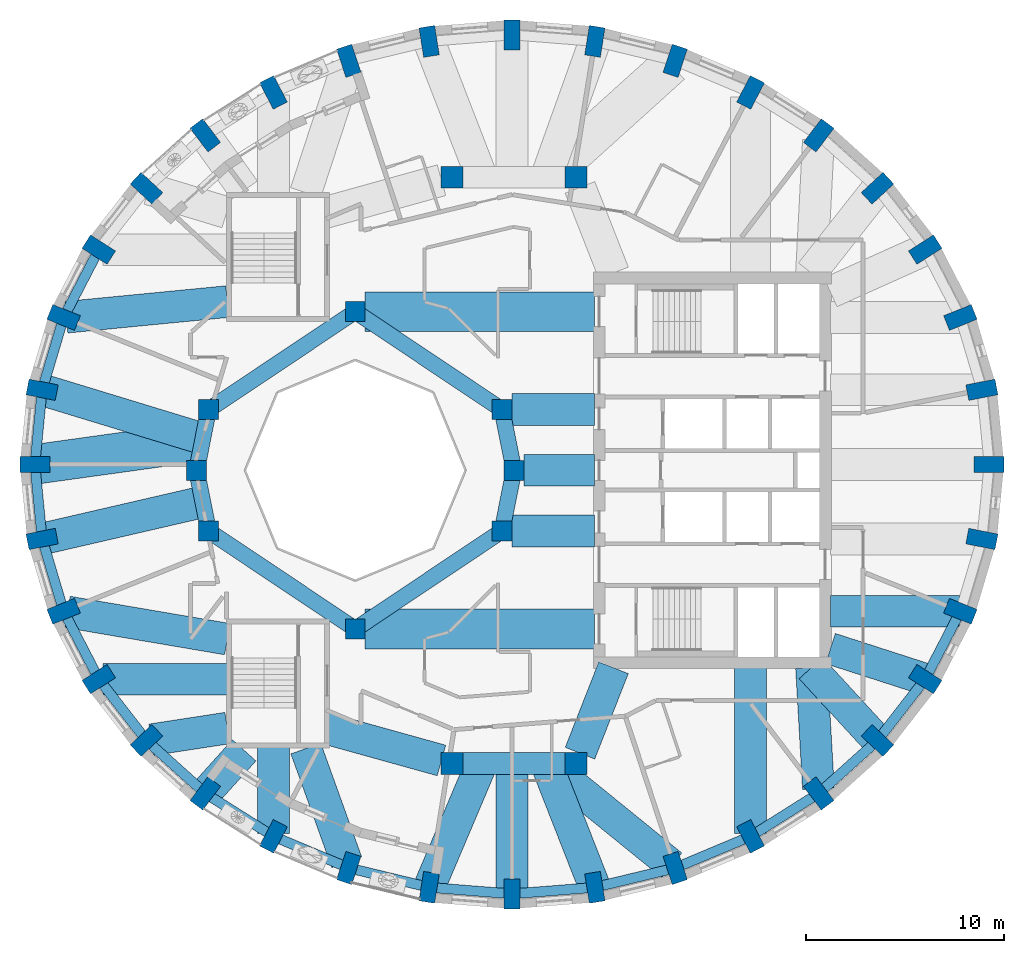
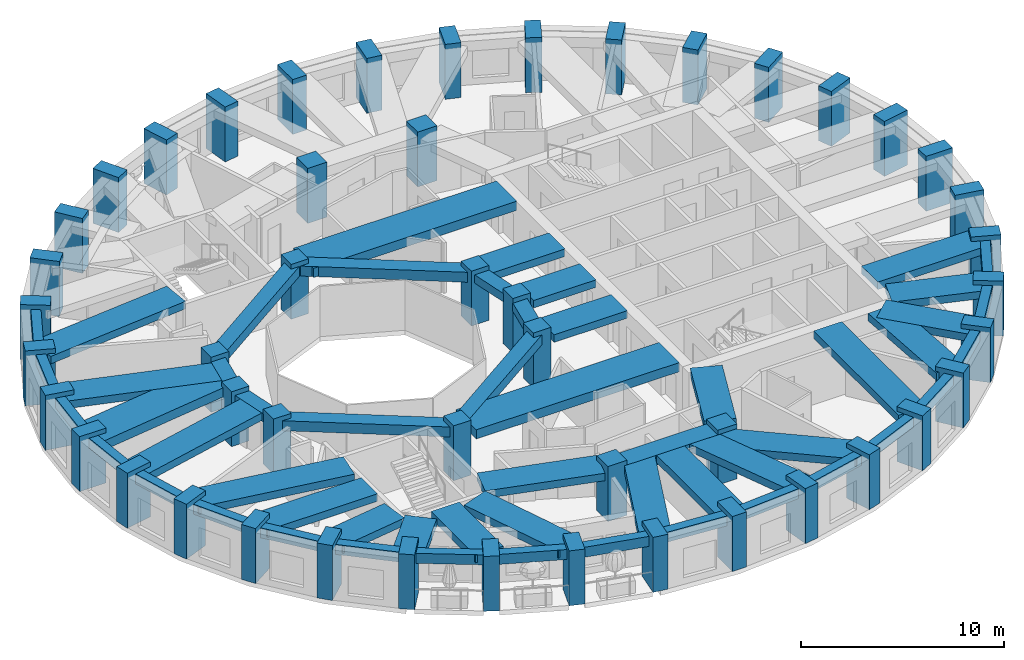
# One storey, part 1 of 12: 54 beams, 48 columns.
"""IFC4 building model written with IfcOpenShell, lengths in metres."""

from ifc_helpers import new_model, si_unit, direction, frame, origin, origin_2d, place, context, subcontext, project, spatial, rectangle, extrude, material, material_profile, profile_set, type_object, element, save


model = new_model("IFC4")

# Units and contexts
model_context = context("Model", 3, precision=1e-05, world=origin(), true_north=direction((0.0, 1.0)))
body_context = subcontext(model_context, "Body", "Model", "MODEL_VIEW")
ifc_project = project(units=[si_unit("LENGTHUNIT", "METRE"), si_unit("AREAUNIT", "SQUARE_METRE"), si_unit("VOLUMEUNIT", "CUBIC_METRE"), si_unit("PLANEANGLEUNIT", "RADIAN"), si_unit("MASSUNIT", "GRAM", prefix="KILO")], contexts=[model_context])

# Site, building, storey
site_placement = place(None, origin())
site = spatial("IfcSite", under=ifc_project, at=site_placement, CompositionType="ELEMENT")
building_placement = place(site_placement, origin())
building = spatial("IfcBuilding", under=site, at=building_placement, Name="Taillehof Tower", CompositionType="ELEMENT")
storey_placement = place(building_placement, frame((0.0, 0.0, 253.10009765625)))
storey = spatial("IfcBuildingStorey", under=building, at=storey_placement, Name="L72", CompositionType="ELEMENT", Elevation=253.10009765625)

# Columns
ifc_material_1 = material(Name="Concrete C50/60", Category="concrete")
ifc_material_profile_1 = material_profile(ifc_material_1, rectangle(XDim=1.0, YDim=1.0, at=origin_2d()), Name="RC 1000x1000")
ifc_profile_set_1 = profile_set([ifc_material_profile_1], Name="Concrete C50/60")
column_type_1 = type_object("IfcColumnType", Name="Atrium ring column C50/60 1000x1000", PredefinedType="COLUMN", material=ifc_profile_set_1)
for number, where, z_axis, x_axis, name in (
    (1, (0.0, 0.0, 0.0), (0.0, 0.0, 1.0), (1.0, 0.0, 0.0), "Column AC01"),
    (2, (-0.60888671875, 3.0615234375, 0.0), (0.0, 0.0, 1.0), (1.0, 0.0, 0.0), "Column AC02"),
    (3, (-8.0, 8.0, 0.0), (0.0, 0.0, 1.0), (1.0, 0.0, 0.0), "Column AC05"),
    (4, (-15.39111328125, 3.0615234375, 0.0), (0.0, 0.0, 1.0), (1.0, 0.0, 0.0), "Column AC08"),
    (5, (-16.0, 0.0, 0.0), (0.0, 0.0, 1.0), (1.0, 0.0, 0.0), "Column AC09"),
    (6, (-15.39111328125, -3.0615234375, 0.0), (0.0, 0.0, 1.0), (1.0, 0.0, 0.0), "Column AC10"),
    (7, (-8.0, -8.0, 0.0), (0.0, 0.0, 1.0), (1.0, 0.0, 0.0), "Column AC13"),
    (8, (-0.60888671875, -3.0615234375, 0.0), (0.0, 0.0, 1.0), (1.0, 0.0, 0.0), "Column AC16"),
):
    element("IfcColumn", number, at=place(storey_placement, frame(where, z_axis=z_axis, x_axis=x_axis)), inside=storey, type_object=column_type_1, Name=name, PredefinedType="COLUMN", context=body_context, shape_type="SweptSolid", body=[
        extrude(rectangle(XDim=1.0, YDim=1.0, at=origin_2d()), origin(), (0.0, 0.0, 1.0), 3.2998046875),
    ])
ifc_material_2 = material(Name="Concrete C50/60", Category="concrete")
ifc_material_profile_2 = material_profile(ifc_material_2, rectangle(XDim=1.10009765625, YDim=1.10009765625, at=origin_2d()), Name="RC 1100x1100")
ifc_profile_set_2 = profile_set([ifc_material_profile_2], Name="Concrete C50/60")
column_type_2 = type_object("IfcColumnType", Name="Mid-ring column C50/60 1100x1100", PredefinedType="COLUMN", material=ifc_profile_set_2)
for number, where, z_axis, x_axis, name in (
    (9, (3.125732421875, 14.772216796875, 0.0), (0.0, 0.0, 1.0), (1.0, 0.0, 0.0), "Column MC05"),
    (10, (-3.125732421875, 14.772216796875, 0.0), (0.0, 0.0, 1.0), (1.0, 0.0, 0.0), "Column MC06"),
    (11, (-3.125732421875, -14.772216796875, 0.0), (0.0, 0.0, 1.0), (1.0, 0.0, 0.0), "Column MC14"),
    (12, (3.125732421875, -14.772216796875, 0.0), (0.0, 0.0, 1.0), (1.0, 0.0, 0.0), "Column MC15"),
):
    element("IfcColumn", number, at=place(storey_placement, frame(where, z_axis=z_axis, x_axis=x_axis)), inside=storey, type_object=column_type_2, Name=name, PredefinedType="COLUMN", context=body_context, shape_type="SweptSolid", body=[
        extrude(rectangle(XDim=1.10009765625, YDim=1.10009765625, at=origin_2d()), origin(), (0.0, 0.0, 1.0), 3.2998046875),
    ])
ifc_material_3 = material(Name="Concrete C50/60", Category="concrete")
ifc_material_profile_3 = material_profile(ifc_material_3, rectangle(XDim=1.5, YDim=0.800048828125, at=origin_2d()), Name="RC 1500x800")
ifc_profile_set_3 = profile_set([ifc_material_profile_3], Name="Concrete C50/60")
column_type_3 = type_object("IfcColumnType", Name="Ring column C50/60 1500x800", PredefinedType="COLUMN", material=ifc_profile_set_3)
for number, where, z_axis, x_axis, name in (
    (13, (23.949951171875, 0.300048828125, 0.0), (0.0, 0.0, 1.0), (1.0, 0.0, 0.0), "Ring column RC01"),
    (14, (23.584716796875, 4.0595703125, 0.0), (0.0, 0.0, 1.0), (0.981472639166, 0.191602344891, 0.0), "Ring column RC02"),
    (15, (22.49951171875, 7.704833984375, 0.0), (0.0, 0.0, 1.0), (0.927524694272, 0.373761878092, 0.0), "Ring column RC03"),
    (16, (20.72802734375, 11.125, 0.0), (0.0, 0.0, 1.0), (0.842573772535, 0.538580948267, 0.0), "Ring column RC04"),
    (17, (18.323486328125, 14.21630859375, 0.0), (0.0, 0.0, 1.0), (0.73263579998, 0.680620881686, 0.0), "Ring column RC05"),
    (18, (15.359130859375, 16.884765625, 0.0), (0.0, 0.0, 1.0), (0.604020073066, 0.796969103123, 0.0), "Ring column RC06"),
    (19, (11.925048828125, 19.049560546875, 0.0), (0.0, 0.0, 1.0), (0.462383690865, 0.886679943622, 0.0), "Ring column RC07"),
    (20, (8.12548828125, 20.644287109375, 0.0), (0.0, 0.0, 1.0), (0.312304079287, 0.949982190391, 0.0), "Ring column RC08"),
    (21, (4.076171875, 21.62109375, 0.0), (0.0, 0.0, 1.0), (0.1572808136, 0.987553920388, 0.0), "Ring column RC09"),
    (22, (-0.10009765625, 21.949951171875, 0.0), (0.0, 0.0, 1.0), (0.0, 1.0, 0.0), "Ring column RC10"),
    (23, (-4.276123046875, 21.62109375, 0.0), (0.0, 0.0, 1.0), (-0.1572808136, 0.987553920388, 0.0), "Ring column RC11"),
    (24, (-8.32568359375, 20.644287109375, 0.0), (0.0, 0.0, 1.0), (-0.312304079287, 0.949982190391, 0.0), "Ring column RC12"),
    (25, (-12.125, 19.049560546875, 0.0), (0.0, 0.0, 1.0), (-0.462383690865, 0.886679943622, 0.0), "Ring column RC13"),
    (26, (-15.55908203125, 16.884765625, 0.0), (0.0, 0.0, 1.0), (-0.604020073066, 0.796969103123, 0.0), "Ring column RC14"),
    (27, (-18.5234375, 14.21630859375, 0.0), (0.0, 0.0, 1.0), (-0.73263579998, 0.680620881686, 0.0), "Ring column RC15"),
    (28, (-20.927978515625, 11.125, 0.0), (0.0, 0.0, 1.0), (-0.842573772535, 0.538580948267, 0.0), "Ring column RC16"),
    (29, (-22.69970703125, 7.704833984375, 0.0), (0.0, 0.0, 1.0), (-0.927524694272, 0.373761878092, 0.0), "Ring column RC17"),
    (30, (-23.78466796875, 4.0595703125, 0.0), (0.0, 0.0, 1.0), (-0.981472639166, 0.191602344891, 0.0), "Ring column RC18"),
    (31, (-24.14990234375, 0.300048828125, 0.0), (0.0, 0.0, 1.0), (-1.0, 0.0, 0.0), "Ring column RC19"),
    (32, (-23.78466796875, -3.45947265625, 0.0), (0.0, 0.0, 1.0), (-0.981472639166, -0.191602344891, 0.0), "Ring column RC20"),
    (33, (-22.69970703125, -7.104736328125, 0.0), (0.0, 0.0, 1.0), (-0.927524694272, -0.373761878092, 0.0), "Ring column RC21"),
    (34, (-20.927978515625, -10.52490234375, 0.0), (0.0, 0.0, 1.0), (-0.842573772535, -0.538580948267, 0.0), "Ring column RC22"),
    (35, (-18.5234375, -13.616455078125, 0.0), (0.0, 0.0, 1.0), (-0.73263579998, -0.680620881686, 0.0), "Ring column RC23"),
    (36, (-15.55908203125, -16.284912109375, 0.0), (0.0, 0.0, 1.0), (-0.604020073066, -0.796969103123, 0.0), "Ring column RC24"),
    (37, (-12.125, -18.449462890625, 0.0), (0.0, 0.0, 1.0), (-0.462383690865, -0.886679943622, 0.0), "Ring column RC25"),
    (38, (-8.32568359375, -20.04443359375, 0.0), (0.0, 0.0, 1.0), (-0.312304079287, -0.949982190391, 0.0), "Ring column RC26"),
    (39, (-4.276123046875, -21.02099609375, 0.0), (0.0, 0.0, 1.0), (-0.1572808136, -0.987553920388, 0.0), "Ring column RC27"),
    (40, (-0.10009765625, -21.35009765625, 0.0), (0.0, 0.0, 1.0), (0.0, -1.0, 0.0), "Ring column RC28"),
    (41, (4.076171875, -21.02099609375, 0.0), (0.0, 0.0, 1.0), (0.1572808136, -0.987553920388, 0.0), "Ring column RC29"),
    (42, (8.12548828125, -20.04443359375, 0.0), (0.0, 0.0, 1.0), (0.312304079287, -0.949982190391, 0.0), "Ring column RC30"),
    (43, (11.925048828125, -18.449462890625, 0.0), (0.0, 0.0, 1.0), (0.462383690865, -0.886679943622, 0.0), "Ring column RC31"),
    (44, (15.359130859375, -16.284912109375, 0.0), (0.0, 0.0, 1.0), (0.604020073066, -0.796969103123, 0.0), "Ring column RC32"),
    (45, (18.323486328125, -13.616455078125, 0.0), (0.0, 0.0, 1.0), (0.73263579998, -0.680620881686, 0.0), "Ring column RC33"),
    (46, (20.72802734375, -10.52490234375, 0.0), (0.0, 0.0, 1.0), (0.842573772535, -0.538580948267, 0.0), "Ring column RC34"),
    (47, (22.49951171875, -7.104736328125, 0.0), (0.0, 0.0, 1.0), (0.927524694272, -0.373761878092, 0.0), "Ring column RC35"),
    (48, (23.584716796875, -3.45947265625, 0.0), (0.0, 0.0, 1.0), (0.981472639166, -0.191602344891, 0.0), "Ring column RC36"),
):
    element("IfcColumn", number, at=place(storey_placement, frame(where, z_axis=z_axis, x_axis=x_axis)), inside=storey, type_object=column_type_3, Name=name, PredefinedType="COLUMN", context=body_context, shape_type="SweptSolid", body=[
        extrude(rectangle(XDim=1.5, YDim=0.800048828125, at=origin_2d()), origin(), (0.0, 0.0, 1.0), 3.2998046875),
    ])

# Beams
ifc_material_4 = material(Name="Concrete C50/60", Category="concrete")
ifc_material_profile_4 = material_profile(ifc_material_4, rectangle(XDim=0.800048828125, YDim=0.5, at=origin_2d()), Name="RC 800x500")
ifc_profile_set_4 = profile_set([ifc_material_profile_4], Name="Concrete C50/60")
beam_type_1 = type_object("IfcBeamType", Name="Atrium ring beam C50/60 800x500", PredefinedType="BEAM", material=ifc_profile_set_4)
for number, where, z_axis, x_axis, name in (
    (49, (0.0, 0.0, 2.77001953125), (-0.195063155143, 0.980790683839, 0.0), (-0.980790683839, -0.195063155143, 0.0), "Atrium ring beam AB01"),
    (50, (-15.39111328125, 3.0615234375, 2.77001953125), (-0.195063155143, -0.980790683839, 0.0), (0.980790683839, -0.195063155143, 0.0), "Atrium ring beam AB04"),
    (51, (-16.0, 0.0, 2.77001953125), (0.195063155143, -0.980790683839, 0.0), (0.980790683839, 0.195063155143, 0.0), "Atrium ring beam AB05"),
    (52, (-0.60888671875, -3.0615234375, 2.77001953125), (0.195063155143, 0.980790683839, 0.0), (-0.980790683839, 0.195063155143, 0.0), "Atrium ring beam AB08"),
):
    element("IfcBeam", number, at=place(storey_placement, frame(where, z_axis=z_axis, x_axis=x_axis)), inside=storey, type_object=beam_type_1, Name=name, PredefinedType="BEAM", context=body_context, shape_type="SweptSolid", body=[
        extrude(rectangle(XDim=0.800048828125, YDim=0.5, at=origin_2d()), origin(), (0.0, 0.0, 1.0), 3.12158203125),
    ])
ifc_material_5 = material(Name="Concrete C50/60", Category="concrete")
ifc_material_profile_5 = material_profile(ifc_material_5, rectangle(XDim=0.800048828125, YDim=0.60009765625, at=origin_2d()), Name="RC 800x600")
ifc_profile_set_5 = profile_set([ifc_material_profile_5], Name="Concrete C50/60")
beam_type_2 = type_object("IfcBeamType", Name="Atrium ring beam C50/60 800x600", PredefinedType="BEAM", material=ifc_profile_set_5)
for number, where, z_axis, x_axis, name in (
    (53, (-0.60888671875, 3.0615234375, 2.719970703125), (-0.831475195687, 0.555561876804, 0.0), (-0.555561876804, -0.831475195687, 0.0), "Atrium ring beam AB02"),
    (54, (-8.0, 8.0, 2.719970703125), (-0.831475195687, -0.555561876804, 0.0), (0.555561876804, -0.831475195687, 0.0), "Atrium ring beam AB03"),
    (55, (-15.39111328125, -3.0615234375, 2.719970703125), (0.831475195687, -0.555561876804, 0.0), (0.555561876804, 0.831475195687, 0.0), "Atrium ring beam AB06"),
    (56, (-8.0, -8.0, 2.719970703125), (0.831475195687, 0.555561876804, 0.0), (-0.555561876804, 0.831475195687, 0.0), "Atrium ring beam AB07"),
):
    element("IfcBeam", number, at=place(storey_placement, frame(where, z_axis=z_axis, x_axis=x_axis)), inside=storey, type_object=beam_type_2, Name=name, PredefinedType="BEAM", context=body_context, shape_type="SweptSolid", body=[
        extrude(rectangle(XDim=0.800048828125, YDim=0.60009765625, at=origin_2d()), origin(), (0.0, 0.0, 1.0), 8.88916015625),
    ])
ifc_material_6 = material(Name="Concrete C50/60", Category="concrete")
ifc_material_profile_6 = material_profile(ifc_material_6, rectangle(XDim=1.10009765625, YDim=0.60009765625, at=origin_2d()), Name="RC 1100x600")
ifc_profile_set_6 = profile_set([ifc_material_profile_6], Name="Concrete C50/60")
beam_type_3 = type_object("IfcBeamType", Name="Mid-ring beam C50/60 1100x600", PredefinedType="BEAM", material=ifc_profile_set_6)
beam_1_placement = place(storey_placement, frame((-3.125732421875, -14.772216796875, 2.719970703125), z_axis=(1.0, 0.0, 0.0), x_axis=(0.0, 1.0, 0.0)))
element("IfcBeam", 57, at=beam_1_placement, inside=storey, type_object=beam_type_3, Name="Mid-ring beam MB02", PredefinedType="BEAM", context=body_context, shape_type="SweptSolid", body=[
    extrude(rectangle(XDim=1.10009765625, YDim=0.60009765625, at=origin_2d()), origin(), (0.0, 0.0, 1.0), 6.25146484375),
])
ifc_material_7 = material(Name="Concrete C50/60", Category="concrete")
ifc_material_profile_7 = material_profile(ifc_material_7, rectangle(XDim=1.60009765625, YDim=0.449951171875, at=origin_2d()), Name="RC 1600x450")
ifc_profile_set_7 = profile_set([ifc_material_profile_7], Name="Concrete C50/60")
beam_type_4 = type_object("IfcBeamType", Name="Radial band beam C50/60 1600x450", PredefinedType="BEAM", material=ifc_profile_set_7)
beam_2_placement = place(storey_placement, frame((-22.564697265625, 7.7177734375, 2.794921875), z_axis=(0.995328408647, 0.096547185049, 0.0), x_axis=(-0.096547185049, 0.995328408647, 0.0)))
element("IfcBeam", 58, at=beam_2_placement, inside=storey, type_object=beam_type_4, Name="Radial band beam RB17", PredefinedType="BEAM", context=body_context, shape_type="SweptSolid", body=[
    extrude(rectangle(XDim=1.60009765625, YDim=0.449951171875, at=origin_2d()), origin(), (0.0, 0.0, 1.0), 8.152587890625),
])
beam_3_placement = place(storey_placement, frame((-23.78466796875, 4.0595703125, 2.794921875), z_axis=(0.956552302924, -0.291560785721, 0.0), x_axis=(0.291560785721, 0.956552302924, 0.0)))
element("IfcBeam", 59, at=beam_3_placement, inside=storey, type_object=beam_type_4, Name="Radial band beam RB18", PredefinedType="BEAM", context=body_context, shape_type="SweptSolid", body=[
    extrude(rectangle(XDim=1.60009765625, YDim=0.449951171875, at=origin_2d()), origin(), (0.0, 0.0, 1.0), 8.468994140625),
])
beam_4_placement = place(storey_placement, frame((-23.78466796875, -3.45947265625, 2.794921875), z_axis=(0.974400103511, 0.224820902672, 0.0), x_axis=(-0.224820902672, 0.974400103511, 0.0)))
element("IfcBeam", 60, at=beam_4_placement, inside=storey, type_object=beam_type_4, Name="Radial band beam RB20", PredefinedType="BEAM", context=body_context, shape_type="SweptSolid", body=[
    extrude(rectangle(XDim=1.60009765625, YDim=0.449951171875, at=origin_2d()), origin(), (0.0, 0.0, 1.0), 8.31396484375),
])
beam_5_placement = place(storey_placement, frame((-22.502685546875, -7.13818359375, 2.794921875), z_axis=(0.985830005482, -0.167747430059, 0.0), x_axis=(0.167747430059, 0.985830005482, 0.0)))
element("IfcBeam", 61, at=beam_5_placement, inside=storey, type_object=beam_type_4, Name="Radial band beam RB21", PredefinedType="BEAM", context=body_context, shape_type="SweptSolid", body=[
    extrude(rectangle(XDim=1.60009765625, YDim=0.449951171875, at=origin_2d()), origin(), (0.0, 0.0, 1.0), 8.167724609375),
])
beam_6_placement = place(storey_placement, frame((-20.7119140625, -10.52490234375, 2.794921875), z_axis=(1.0, 0.0, 0.0), x_axis=(0.0, 1.0, 0.0)))
element("IfcBeam", 62, at=beam_6_placement, inside=storey, type_object=beam_type_4, Name="Radial band beam RB22", PredefinedType="BEAM", context=body_context, shape_type="SweptSolid", body=[
    extrude(rectangle(XDim=1.60009765625, YDim=0.449951171875, at=origin_2d()), origin(), (0.0, 0.0, 1.0), 6.261962890625),
])
beam_7_placement = place(storey_placement, frame((-18.283447265625, -13.57958984375, 2.794921875), z_axis=(0.988468308682, 0.151427879634, 0.0), x_axis=(-0.151427879634, 0.988468308682, 0.0)))
element("IfcBeam", 63, at=beam_7_placement, inside=storey, type_object=beam_type_4, Name="Radial band beam RB23", PredefinedType="BEAM", context=body_context, shape_type="SweptSolid", body=[
    extrude(rectangle(XDim=1.60009765625, YDim=0.449951171875, at=origin_2d()), origin(), (0.0, 0.0, 1.0), 3.87744140625),
])
beam_8_placement = place(storey_placement, frame((-15.55908203125, -16.284912109375, 2.794921875), z_axis=(0.669439419649, 0.742866652516, 0.0), x_axis=(-0.742866652516, 0.669439419649, 0.0)))
element("IfcBeam", 64, at=beam_8_placement, inside=storey, type_object=beam_type_4, Name="Radial band beam RB24", PredefinedType="BEAM", context=body_context, shape_type="SweptSolid", body=[
    extrude(rectangle(XDim=1.60009765625, YDim=0.449951171875, at=origin_2d()), origin(), (0.0, 0.0, 1.0), 2.926025390625),
])
beam_9_placement = place(storey_placement, frame((-12.125, -18.3154296875, 2.794921875), z_axis=(0.0, 1.0, 0.0), x_axis=(-1.0, 0.0, 0.0)))
element("IfcBeam", 65, at=beam_9_placement, inside=storey, type_object=beam_type_4, Name="Radial band beam RB25", PredefinedType="BEAM", context=body_context, shape_type="SweptSolid", body=[
    extrude(rectangle(XDim=1.60009765625, YDim=0.449951171875, at=origin_2d()), origin(), (0.0, 0.0, 1.0), 4.365478515625),
])
beam_10_placement = place(storey_placement, frame((-8.42919921875, -19.755859375, 2.794921875), z_axis=(-0.338515207556, 0.940960920683, 0.0), x_axis=(-0.940960920683, -0.338515207556, 0.0)))
element("IfcBeam", 66, at=beam_10_placement, inside=storey, type_object=beam_type_4, Name="Radial band beam RB26", PredefinedType="BEAM", context=body_context, shape_type="SweptSolid", body=[
    extrude(rectangle(XDim=1.60009765625, YDim=0.449951171875, at=origin_2d()), origin(), (0.0, 0.0, 1.0), 6.094970703125),
])
beam_11_placement = place(storey_placement, frame((-4.276123046875, -21.02099609375, 2.794921875), z_axis=(0.390474101739, 0.920613912491, 0.0), x_axis=(-0.920613912491, 0.390474101739, 0.0)))
element("IfcBeam", 67, at=beam_11_placement, inside=storey, type_object=beam_type_4, Name="Radial band beam RB27", PredefinedType="BEAM", context=body_context, shape_type="SweptSolid", body=[
    extrude(rectangle(XDim=1.60009765625, YDim=0.449951171875, at=origin_2d()), origin(), (0.0, 0.0, 1.0), 6.78759765625),
])
beam_12_placement = place(storey_placement, frame((-0.10009765625, -21.35009765625, 2.794921875), z_axis=(0.0, 1.0, 0.0), x_axis=(-1.0, 0.0, 0.0)))
element("IfcBeam", 68, at=beam_12_placement, inside=storey, type_object=beam_type_4, Name="Radial band beam RB28", PredefinedType="BEAM", context=body_context, shape_type="SweptSolid", body=[
    extrude(rectangle(XDim=1.60009765625, YDim=0.449951171875, at=origin_2d()), origin(), (0.0, 0.0, 1.0), 6.577880859375),
])
beam_13_placement = place(storey_placement, frame((4.076171875, -21.02099609375, 2.794921875), z_axis=(-0.365079492969, 0.93097634976, 0.0), x_axis=(-0.93097634976, -0.365079492969, 0.0)))
element("IfcBeam", 69, at=beam_13_placement, inside=storey, type_object=beam_type_4, Name="Radial band beam RB29", PredefinedType="BEAM", context=body_context, shape_type="SweptSolid", body=[
    extrude(rectangle(XDim=1.60009765625, YDim=0.449951171875, at=origin_2d()), origin(), (0.0, 0.0, 1.0), 6.712158203125),
])
beam_14_placement = place(storey_placement, frame((7.9560546875, -19.90673828125, 2.794921875), z_axis=(-0.776646099525, 0.629937168369, 0.0), x_axis=(-0.629937168369, -0.776646099525, 0.0)))
element("IfcBeam", 70, at=beam_14_placement, inside=storey, type_object=beam_type_4, Name="Radial band beam RB30", PredefinedType="BEAM", context=body_context, shape_type="SweptSolid", body=[
    extrude(rectangle(XDim=1.60009765625, YDim=0.449951171875, at=origin_2d()), origin(), (0.0, 0.0, 1.0), 8.03759765625),
])
beam_15_placement = place(storey_placement, frame((11.925048828125, -18.3154296875, 2.794921875), z_axis=(0.0, 1.0, 0.0), x_axis=(-1.0, 0.0, 0.0)))
element("IfcBeam", 71, at=beam_15_placement, inside=storey, type_object=beam_type_4, Name="Radial band beam RB31", PredefinedType="BEAM", context=body_context, shape_type="SweptSolid", body=[
    extrude(rectangle(XDim=1.60009765625, YDim=0.449951171875, at=origin_2d()), origin(), (0.0, 0.0, 1.0), 8.365478515625),
])
beam_16_placement = place(storey_placement, frame((15.345703125, -16.050537109375, 2.794921875), z_axis=(-0.057056617778, 0.998370944273, 0.0), x_axis=(-0.998370944273, -0.057056617778, 0.0)))
element("IfcBeam", 72, at=beam_16_placement, inside=storey, type_object=beam_type_4, Name="Radial band beam RB32", PredefinedType="BEAM", context=body_context, shape_type="SweptSolid", body=[
    extrude(rectangle(XDim=1.60009765625, YDim=0.449951171875, at=origin_2d()), origin(), (0.0, 0.0, 1.0), 6.1103515625),
])
beam_17_placement = place(storey_placement, frame((18.323486328125, -13.616455078125, 2.794921875), z_axis=(-0.676659897365, 0.736295717289, 0.0), x_axis=(-0.736295717289, -0.676659897365, 0.0)))
element("IfcBeam", 73, at=beam_17_placement, inside=storey, type_object=beam_type_4, Name="Radial band beam RB33", PredefinedType="BEAM", context=body_context, shape_type="SweptSolid", body=[
    extrude(rectangle(XDim=1.60009765625, YDim=0.449951171875, at=origin_2d()), origin(), (0.0, 0.0, 1.0), 4.961669921875),
])
beam_18_placement = place(storey_placement, frame((20.72802734375, -10.52490234375, 2.794921875), z_axis=(-0.951722832358, 0.306958711178, 0.0), x_axis=(-0.306958711178, -0.951722832358, 0.0)))
element("IfcBeam", 74, at=beam_18_placement, inside=storey, type_object=beam_type_4, Name="Radial band beam RB34", PredefinedType="BEAM", context=body_context, shape_type="SweptSolid", body=[
    extrude(rectangle(XDim=1.60009765625, YDim=0.449951171875, at=origin_2d()), origin(), (0.0, 0.0, 1.0), 5.017822265625),
])
beam_19_placement = place(storey_placement, frame((22.44580078125, -7.104736328125, 2.794921875), z_axis=(-1.0, 0.0, 0.0), x_axis=(0.0, -1.0, 0.0)))
element("IfcBeam", 75, at=beam_19_placement, inside=storey, type_object=beam_type_4, Name="Radial band beam RB35", PredefinedType="BEAM", context=body_context, shape_type="SweptSolid", body=[
    extrude(rectangle(XDim=1.60009765625, YDim=0.449951171875, at=origin_2d()), origin(), (0.0, 0.0, 1.0), 6.495849609375),
])
beam_20_placement = place(storey_placement, frame((0.5, 0.0, 2.794921875), z_axis=(1.0, 0.0, 0.0), x_axis=(0.0, 1.0, 0.0)))
element("IfcBeam", 76, at=beam_20_placement, inside=storey, type_object=beam_type_4, Name="Inner band beam IB101", PredefinedType="BEAM", context=body_context, shape_type="SweptSolid", body=[
    extrude(rectangle(XDim=1.60009765625, YDim=0.449951171875, at=origin_2d()), origin(), (0.0, 0.0, 1.0), 3.550048828125),
])
for number, where, z_axis, x_axis, name in (
    (77, (-0.10888671875, 3.0615234375, 2.794921875), (1.0, 0.0, 0.0), (0.0, 1.0, 0.0), "Inner band beam IB102"),
    (78, (-0.10888671875, -3.0615234375, 2.794921875), (1.0, 0.0, 0.0), (0.0, 1.0, 0.0), "Inner band beam IB116"),
):
    element("IfcBeam", number, at=place(storey_placement, frame(where, z_axis=z_axis, x_axis=x_axis)), inside=storey, type_object=beam_type_4, Name=name, PredefinedType="BEAM", context=body_context, shape_type="SweptSolid", body=[
        extrude(rectangle(XDim=1.60009765625, YDim=0.449951171875, at=origin_2d()), origin(), (0.0, 0.0, 1.0), 4.158935546875),
    ])
beam_21_placement = place(storey_placement, frame((-3.655517578125, -14.624755859375, 2.794921875), z_axis=(-0.963459369536, 0.267854518821, 0.0), x_axis=(-0.267854518821, -0.963459369536, 0.0)))
element("IfcBeam", 79, at=beam_21_placement, inside=storey, type_object=beam_type_4, Name="Inner band beam IB214", PredefinedType="BEAM", context=body_context, shape_type="SweptSolid", body=[
    extrude(rectangle(XDim=1.60009765625, YDim=0.449951171875, at=origin_2d()), origin(), (0.0, 0.0, 1.0), 6.096923828125),
])
beam_22_placement = place(storey_placement, frame((3.32666015625, -14.26025390625, 2.794921875), z_axis=(0.365588707223, 0.930776502255, 0.0), x_axis=(-0.930776502255, 0.365588707223, 0.0)))
element("IfcBeam", 80, at=beam_22_placement, inside=storey, type_object=beam_type_4, Name="Inner band beam IB215", PredefinedType="BEAM", context=body_context, shape_type="SweptSolid", body=[
    extrude(rectangle(XDim=1.60009765625, YDim=0.449951171875, at=origin_2d()), origin(), (0.0, 0.0, 1.0), 4.627197265625),
])
ifc_material_8 = material(Name="Concrete C50/60", Category="concrete")
ifc_material_profile_8 = material_profile(ifc_material_8, rectangle(XDim=2.0, YDim=0.550048828125, at=origin_2d()), Name="RC 2000x550")
ifc_profile_set_8 = profile_set([ifc_material_profile_8], Name="Concrete C50/60")
beam_type_5 = type_object("IfcBeamType", Name="Radial band beam C50/60 2000x550", PredefinedType="BEAM", material=ifc_profile_set_8)
beam_23_placement = place(storey_placement, frame((-24.14990234375, 0.300048828125, 2.744873046875), z_axis=(0.990515351696, 0.137402103528, 0.0), x_axis=(-0.137402103528, 0.990515351696, 0.0)))
element("IfcBeam", 81, at=beam_23_placement, inside=storey, type_object=beam_type_5, Name="Radial band beam RB19", PredefinedType="BEAM", context=body_context, shape_type="SweptSolid", body=[
    extrude(rectangle(XDim=2.0, YDim=0.550048828125, at=origin_2d()), origin(), (0.0, 0.0, 1.0), 8.5234375),
])
for number, where, z_axis, x_axis, name in (
    (82, (-7.5, 8.0, 2.744873046875), (1.0, 0.0, 0.0), (0.0, 1.0, 0.0), "Inner band beam IB105"),
    (83, (-7.5, -8.0, 2.744873046875), (1.0, 0.0, 0.0), (0.0, 1.0, 0.0), "Inner band beam IB113"),
):
    element("IfcBeam", number, at=place(storey_placement, frame(where, z_axis=z_axis, x_axis=x_axis)), inside=storey, type_object=beam_type_5, Name=name, PredefinedType="BEAM", context=body_context, shape_type="SweptSolid", body=[
        extrude(rectangle(XDim=2.0, YDim=0.550048828125, at=origin_2d()), origin(), (0.0, 0.0, 1.0), 11.550048828125),
    ])
ifc_material_9 = material(Name="Concrete C50/60", Category="concrete")
ifc_material_profile_9 = material_profile(ifc_material_9, rectangle(XDim=0.5, YDim=0.60009765625, at=origin_2d()), Name="RC 500x600")
ifc_profile_set_9 = profile_set([ifc_material_profile_9], Name="Concrete C50/60")
beam_type_6 = type_object("IfcBeamType", Name="Spandrel beam C50/60 500x600", PredefinedType="SPANDREL", material=ifc_profile_set_9)
beam_24_placement = place(storey_placement, frame((-20.927978515625, 11.125, 2.719970703125), z_axis=(-0.459971160554, -0.88793385534, 0.0), x_axis=(0.88793385534, -0.459971160554, 0.0)))
element("IfcBeam", 84, at=beam_24_placement, inside=storey, type_object=beam_type_6, Name="Spandrel beam SB16", PredefinedType="SPANDREL", context=body_context, shape_type="SweptSolid", body=[
    extrude(rectangle(XDim=0.5, YDim=0.60009765625, at=origin_2d()), origin(), (0.0, 0.0, 1.0), 3.851806640625),
])
beam_25_placement = place(storey_placement, frame((-22.69970703125, 7.704833984375, 2.719970703125), z_axis=(-0.285268336874, -0.958447690788, 0.0), x_axis=(0.958447690788, -0.285268336874, 0.0)))
element("IfcBeam", 85, at=beam_25_placement, inside=storey, type_object=beam_type_6, Name="Spandrel beam SB17", PredefinedType="SPANDREL", context=body_context, shape_type="SweptSolid", body=[
    extrude(rectangle(XDim=0.5, YDim=0.60009765625, at=origin_2d()), origin(), (0.0, 0.0, 1.0), 3.80322265625),
])
for number, where, z_axis, x_axis, name in (
    (86, (-23.78466796875, 4.0595703125, 2.719970703125), (-0.096693940319, -0.995314162416, 0.0), (0.995314162416, -0.096693940319, 0.0), "Spandrel beam SB18"),
    (87, (-24.14990234375, 0.300048828125, 2.719970703125), (0.096693940319, -0.995314162416, 0.0), (0.995314162416, 0.096693940319, 0.0), "Spandrel beam SB19"),
):
    element("IfcBeam", number, at=place(storey_placement, frame(where, z_axis=z_axis, x_axis=x_axis)), inside=storey, type_object=beam_type_6, Name=name, PredefinedType="SPANDREL", context=body_context, shape_type="SweptSolid", body=[
        extrude(rectangle(XDim=0.5, YDim=0.60009765625, at=origin_2d()), origin(), (0.0, 0.0, 1.0), 3.777099609375),
    ])
beam_26_placement = place(storey_placement, frame((-23.78466796875, -3.45947265625, 2.719970703125), z_axis=(0.285268336874, -0.958447690788, 0.0), x_axis=(0.958447690788, 0.285268336874, 0.0)))
element("IfcBeam", 88, at=beam_26_placement, inside=storey, type_object=beam_type_6, Name="Spandrel beam SB20", PredefinedType="SPANDREL", context=body_context, shape_type="SweptSolid", body=[
    extrude(rectangle(XDim=0.5, YDim=0.60009765625, at=origin_2d()), origin(), (0.0, 0.0, 1.0), 3.80322265625),
])
beam_27_placement = place(storey_placement, frame((-22.69970703125, -7.104736328125, 2.719970703125), z_axis=(0.459971160554, -0.88793385534, 0.0), x_axis=(0.88793385534, 0.459971160554, 0.0)))
element("IfcBeam", 89, at=beam_27_placement, inside=storey, type_object=beam_type_6, Name="Spandrel beam SB21", PredefinedType="SPANDREL", context=body_context, shape_type="SweptSolid", body=[
    extrude(rectangle(XDim=0.5, YDim=0.60009765625, at=origin_2d()), origin(), (0.0, 0.0, 1.0), 3.851806640625),
])
beam_28_placement = place(storey_placement, frame((-20.927978515625, -10.52490234375, 2.719970703125), z_axis=(0.613940613515, -0.789352217376, 0.0), x_axis=(0.789352217376, 0.613940613515, 0.0)))
element("IfcBeam", 90, at=beam_28_placement, inside=storey, type_object=beam_type_6, Name="Spandrel beam SB22", PredefinedType="SPANDREL", context=body_context, shape_type="SweptSolid", body=[
    extrude(rectangle(XDim=0.5, YDim=0.60009765625, at=origin_2d()), origin(), (0.0, 0.0, 1.0), 3.91650390625),
])
beam_29_placement = place(storey_placement, frame((-18.5234375, -13.616455078125, 2.719970703125), z_axis=(0.743227182134, -0.669039128704, 0.0), x_axis=(0.669039128704, 0.743227182134, 0.0)))
element("IfcBeam", 91, at=beam_29_placement, inside=storey, type_object=beam_type_6, Name="Spandrel beam SB23", PredefinedType="SPANDREL", context=body_context, shape_type="SweptSolid", body=[
    extrude(rectangle(XDim=0.5, YDim=0.60009765625, at=origin_2d()), origin(), (0.0, 0.0, 1.0), 3.988525390625),
])
beam_30_placement = place(storey_placement, frame((-15.55908203125, -16.284912109375, 2.719970703125), z_axis=(0.845971606716, -0.533227944344, 0.0), x_axis=(0.533227944344, 0.845971606716, 0.0)))
element("IfcBeam", 92, at=beam_30_placement, inside=storey, type_object=beam_type_6, Name="Spandrel beam SB24", PredefinedType="SPANDREL", context=body_context, shape_type="SweptSolid", body=[
    extrude(rectangle(XDim=0.5, YDim=0.60009765625, at=origin_2d()), origin(), (0.0, 0.0, 1.0), 4.059326171875),
])
beam_31_placement = place(storey_placement, frame((-12.125, -18.449462890625, 2.719970703125), z_axis=(0.922046399446, -0.387079368178, 0.0), x_axis=(0.387079368178, 0.922046399446, 0.0)))
element("IfcBeam", 93, at=beam_31_placement, inside=storey, type_object=beam_type_6, Name="Spandrel beam SB25", PredefinedType="SPANDREL", context=body_context, shape_type="SweptSolid", body=[
    extrude(rectangle(XDim=0.5, YDim=0.60009765625, at=origin_2d()), origin(), (0.0, 0.0, 1.0), 4.12060546875),
])
beam_32_placement = place(storey_placement, frame((-8.32568359375, -20.04443359375, 2.719970703125), z_axis=(0.972132431202, -0.234432370218, 0.0), x_axis=(0.234432370218, 0.972132431202, 0.0)))
element("IfcBeam", 94, at=beam_32_placement, inside=storey, type_object=beam_type_6, Name="Spandrel beam SB26", PredefinedType="SPANDREL", context=body_context, shape_type="SweptSolid", body=[
    extrude(rectangle(XDim=0.5, YDim=0.60009765625, at=origin_2d()), origin(), (0.0, 0.0, 1.0), 4.16552734375),
])
beam_33_placement = place(storey_placement, frame((-4.276123046875, -21.02099609375, 2.719970703125), z_axis=(0.996909089392, -0.078563779743, 0.0), x_axis=(0.078563779743, 0.996909089392, 0.0)))
element("IfcBeam", 95, at=beam_33_placement, inside=storey, type_object=beam_type_6, Name="Spandrel beam SB27", PredefinedType="SPANDREL", context=body_context, shape_type="SweptSolid", body=[
    extrude(rectangle(XDim=0.5, YDim=0.60009765625, at=origin_2d()), origin(), (0.0, 0.0, 1.0), 4.18896484375),
])
beam_34_placement = place(storey_placement, frame((-0.10009765625, -21.35009765625, 2.719970703125), z_axis=(0.996909449091, 0.078559215326, 0.0), x_axis=(-0.078559215326, 0.996909449091, 0.0)))
element("IfcBeam", 96, at=beam_34_placement, inside=storey, type_object=beam_type_6, Name="Spandrel beam SB28", PredefinedType="SPANDREL", context=body_context, shape_type="SweptSolid", body=[
    extrude(rectangle(XDim=0.5, YDim=0.60009765625, at=origin_2d()), origin(), (0.0, 0.0, 1.0), 4.189208984375),
])
beam_35_placement = place(storey_placement, frame((4.076171875, -21.02099609375, 2.719970703125), z_axis=(0.972129209911, 0.234445727701, 0.0), x_axis=(-0.234445727701, 0.972129209911, 0.0)))
element("IfcBeam", 97, at=beam_35_placement, inside=storey, type_object=beam_type_6, Name="Spandrel beam SB29", PredefinedType="SPANDREL", context=body_context, shape_type="SweptSolid", body=[
    extrude(rectangle(XDim=0.5, YDim=0.60009765625, at=origin_2d()), origin(), (0.0, 0.0, 1.0), 4.16552734375),
])
beam_36_placement = place(storey_placement, frame((8.12548828125, -20.04443359375, 2.719970703125), z_axis=(0.922055276152, 0.38705822265, 0.0), x_axis=(-0.38705822265, 0.922055276152, 0.0)))
element("IfcBeam", 98, at=beam_36_placement, inside=storey, type_object=beam_type_6, Name="Spandrel beam SB30", PredefinedType="SPANDREL", context=body_context, shape_type="SweptSolid", body=[
    extrude(rectangle(XDim=0.5, YDim=0.60009765625, at=origin_2d()), origin(), (0.0, 0.0, 1.0), 4.120849609375),
])
beam_37_placement = place(storey_placement, frame((11.925048828125, -18.449462890625, 2.719970703125), z_axis=(0.845971606716, 0.533227944344, 0.0), x_axis=(-0.533227944344, 0.845971606716, 0.0)))
element("IfcBeam", 99, at=beam_37_placement, inside=storey, type_object=beam_type_6, Name="Spandrel beam SB31", PredefinedType="SPANDREL", context=body_context, shape_type="SweptSolid", body=[
    extrude(rectangle(XDim=0.5, YDim=0.60009765625, at=origin_2d()), origin(), (0.0, 0.0, 1.0), 4.059326171875),
])
beam_38_placement = place(storey_placement, frame((15.359130859375, -16.284912109375, 2.719970703125), z_axis=(0.743227182134, 0.669039128704, 0.0), x_axis=(-0.669039128704, 0.743227182134, 0.0)))
element("IfcBeam", 100, at=beam_38_placement, inside=storey, type_object=beam_type_6, Name="Spandrel beam SB32", PredefinedType="SPANDREL", context=body_context, shape_type="SweptSolid", body=[
    extrude(rectangle(XDim=0.5, YDim=0.60009765625, at=origin_2d()), origin(), (0.0, 0.0, 1.0), 3.988525390625),
])
beam_39_placement = place(storey_placement, frame((18.323486328125, -13.616455078125, 2.719970703125), z_axis=(0.613940613515, 0.789352217376, 0.0), x_axis=(-0.789352217376, 0.613940613515, 0.0)))
element("IfcBeam", 101, at=beam_39_placement, inside=storey, type_object=beam_type_6, Name="Spandrel beam SB33", PredefinedType="SPANDREL", context=body_context, shape_type="SweptSolid", body=[
    extrude(rectangle(XDim=0.5, YDim=0.60009765625, at=origin_2d()), origin(), (0.0, 0.0, 1.0), 3.91650390625),
])
beam_40_placement = place(storey_placement, frame((20.72802734375, -10.52490234375, 2.719970703125), z_axis=(0.45992118545, 0.887959741865, 0.0), x_axis=(-0.887959741865, 0.45992118545, 0.0)))
element("IfcBeam", 102, at=beam_40_placement, inside=storey, type_object=beam_type_6, Name="Spandrel beam SB34", PredefinedType="SPANDREL", context=body_context, shape_type="SweptSolid", body=[
    extrude(rectangle(XDim=0.5, YDim=0.60009765625, at=origin_2d()), origin(), (0.0, 0.0, 1.0), 3.851806640625),
])

save(model, "model.ifc")
